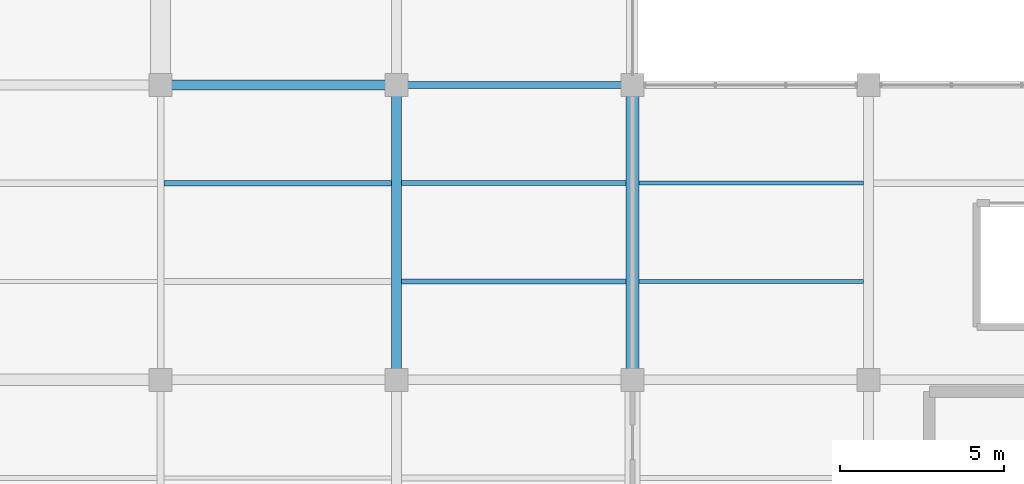
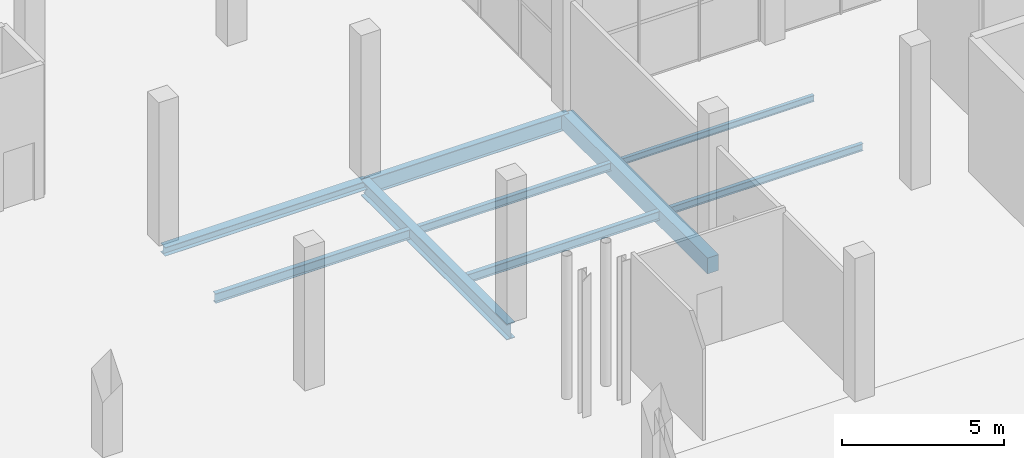
# One storey, part 64 of 147: 9 beams.
"""IFC4 building model written with IfcOpenShell, lengths in metres."""

from ifc_helpers import new_model, si_unit, direction, frame, origin, origin_2d, place, context, subcontext, project, spatial, rectangle, i_section, extrude, material, material_profile, profile_set, type_object, element, save


model = new_model("IFC4")

# Units and contexts
model_context = context("Model", 3, precision=1e-05, world=origin(), true_north=direction((0.0, 1.0)))
body_context = subcontext(model_context, "Body", "Model", "MODEL_VIEW")
ifc_project = project(units=[si_unit("LENGTHUNIT", "METRE"), si_unit("AREAUNIT", "SQUARE_METRE"), si_unit("VOLUMEUNIT", "CUBIC_METRE"), si_unit("PLANEANGLEUNIT", "RADIAN"), si_unit("MASSUNIT", "GRAM", prefix="KILO")], contexts=[model_context])

# Site, building, storey
site_placement = place(None, origin())
site = spatial("IfcSite", under=ifc_project, at=site_placement, CompositionType="ELEMENT")
building_placement = place(site_placement, origin())
building = spatial("IfcBuilding", under=site, at=building_placement, Name="Sundgate Opera House", CompositionType="ELEMENT")
storey_placement = place(building_placement, frame((0.0, 0.0, 6.0)))
storey = spatial("IfcBuildingStorey", under=building, at=storey_placement, Name="L01", CompositionType="ELEMENT", Elevation=6.0)

# Beams
ifc_material_1 = material(Name="Steel S355J2", Category="steel")
ifc_material_profile_1 = material_profile(ifc_material_1, i_section(OverallWidth=0.300048828125, OverallDepth=0.330078125, WebThickness=0.009521484375, FlangeThickness=0.0166015625, at=origin_2d()), Name="HEA 340")
ifc_profile_set_1 = profile_set([ifc_material_profile_1], Name="Steel S355J2")
beam_type_1 = type_object("IfcBeamType", Name="BM-GR-HEA340", PredefinedType="BEAM", material=ifc_profile_set_1)
beam_1_placement = place(storey_placement, frame((109.800048828125, 87.0, -0.465087890625), z_axis=(1.0, 0.0, 0.0), x_axis=(0.0, 1.0, 0.0)))
element("IfcBeam", 1, at=beam_1_placement, inside=storey, type_object=beam_type_1, Name="L01 Primary E-W Girder B1393", PredefinedType="BEAM", context=body_context, shape_type="SweptSolid", body=[
    extrude(i_section(OverallWidth=0.300048828125, OverallDepth=0.330078125, WebThickness=0.009521484375, FlangeThickness=0.0166015625, at=origin_2d()), origin(), (0.0, 0.0, 1.0), 7.199951171875),
])
ifc_material_2 = material(Name="Steel S355J2", Category="steel")
ifc_material_profile_2 = material_profile(ifc_material_2, i_section(OverallWidth=0.300048828125, OverallDepth=0.590087890625, WebThickness=0.012939453125, FlangeThickness=0.02490234375, at=origin_2d()), Name="HEA 600")
ifc_profile_set_2 = profile_set([ifc_material_profile_2], Name="Steel S355J2")
beam_type_2 = type_object("IfcBeamType", Name="BM-GR-HEA600", PredefinedType="BEAM", material=ifc_profile_set_2)
beam_2_placement = place(storey_placement, frame((117.0, 78.0, -0.594970703125), z_axis=(0.0, 1.0, 0.0), x_axis=(-1.0, 0.0, 0.0)))
element("IfcBeam", 2, at=beam_2_placement, inside=storey, type_object=beam_type_2, Name="L01 Primary N-S Girder B1190", PredefinedType="BEAM", context=body_context, shape_type="SweptSolid", body=[
    extrude(i_section(OverallWidth=0.300048828125, OverallDepth=0.590087890625, WebThickness=0.012939453125, FlangeThickness=0.02490234375, at=origin_2d()), origin(), (0.0, 0.0, 1.0), 9.0),
])
ifc_material_3 = material(Name="Steel S355J2", Category="steel")
ifc_material_profile_3 = material_profile(ifc_material_3, i_section(OverallWidth=0.219970703125, OverallDepth=0.60009765625, WebThickness=0.011962890625, FlangeThickness=0.01904296875, at=origin_2d()), Name="IPE 600")
ifc_profile_set_3 = profile_set([ifc_material_profile_3], Name="Steel S355J2")
beam_type_3 = type_object("IfcBeamType", Name="BM-GR-IPE600", PredefinedType="BEAM", material=ifc_profile_set_3)
beam_3_placement = place(storey_placement, frame((117.0, 87.0, -0.60009765625), z_axis=(1.0, 0.0, 0.0), x_axis=(0.0, 1.0, 0.0)))
element("IfcBeam", 3, at=beam_3_placement, inside=storey, type_object=beam_type_3, Name="L01 Primary E-W Girder B1394", PredefinedType="BEAM", context=body_context, shape_type="SweptSolid", body=[
    extrude(i_section(OverallWidth=0.219970703125, OverallDepth=0.60009765625, WebThickness=0.011962890625, FlangeThickness=0.01904296875, at=origin_2d()), origin(), (0.0, 0.0, 1.0), 7.199951171875),
])
ifc_material_4 = material(Name="Steel S355J2", Category="steel")
ifc_material_profile_4 = material_profile(ifc_material_4, i_section(OverallWidth=0.1201171875, OverallDepth=0.239990234375, WebThickness=0.006103515625, FlangeThickness=0.009765625, at=origin_2d()), Name="IPE 240")
ifc_profile_set_4 = profile_set([ifc_material_profile_4], Name="Steel S355J2")
beam_type_4 = type_object("IfcBeamType", Name="BM-JS-IPE240", PredefinedType="JOIST", material=ifc_profile_set_4)
beam_4_placement = place(storey_placement, frame((124.39990234375, 84.0, -0.419921875), z_axis=(1.0, 0.0, 0.0), x_axis=(0.0, 1.0, 0.0)))
element("IfcBeam", 4, at=beam_4_placement, inside=storey, type_object=beam_type_4, Name="L01 Secondary Floor Joist B1651", PredefinedType="JOIST", context=body_context, shape_type="SweptSolid", body=[
    extrude(i_section(OverallWidth=0.1201171875, OverallDepth=0.239990234375, WebThickness=0.006103515625, FlangeThickness=0.009765625, at=origin_2d()), origin(), (0.0, 0.0, 1.0), 6.85009765625),
])
ifc_material_5 = material(Name="Steel S355J2", Category="steel")
ifc_material_profile_5 = material_profile(ifc_material_5, i_section(OverallWidth=0.135009765625, OverallDepth=0.27001953125, WebThickness=0.006591796875, FlangeThickness=0.01025390625, at=origin_2d()), Name="IPE 270")
ifc_profile_set_5 = profile_set([ifc_material_profile_5], Name="Steel S355J2")
beam_type_5 = type_object("IfcBeamType", Name="BM-JS-IPE270", PredefinedType="JOIST", material=ifc_profile_set_5)
beam_5_placement = place(storey_placement, frame((124.39990234375, 81.0, -0.43505859375), z_axis=(1.0, 0.0, 0.0), x_axis=(0.0, 1.0, 0.0)))
element("IfcBeam", 5, at=beam_5_placement, inside=storey, type_object=beam_type_5, Name="L01 Secondary Floor Joist B1650", PredefinedType="JOIST", context=body_context, shape_type="SweptSolid", body=[
    extrude(i_section(OverallWidth=0.135009765625, OverallDepth=0.27001953125, WebThickness=0.006591796875, FlangeThickness=0.01025390625, at=origin_2d()), origin(), (0.0, 0.0, 1.0), 6.85009765625),
])
ifc_material_6 = material(Name="Steel S355J2", Category="steel")
ifc_material_profile_6 = material_profile(ifc_material_6, i_section(OverallWidth=0.14990234375, OverallDepth=0.300048828125, WebThickness=0.007080078125, FlangeThickness=0.0107421875, at=origin_2d()), Name="IPE 300")
ifc_profile_set_6 = profile_set([ifc_material_profile_6], Name="Steel S355J2")
beam_type_6 = type_object("IfcBeamType", Name="BM-JS-IPE300", PredefinedType="JOIST", material=ifc_profile_set_6)
beam_6_placement = place(storey_placement, frame((117.14990234375, 84.0, -0.449951171875), z_axis=(1.0, 0.0, 0.0), x_axis=(0.0, 1.0, 0.0)))
element("IfcBeam", 6, at=beam_6_placement, inside=storey, type_object=beam_type_6, Name="L01 Secondary Floor Joist B1649", PredefinedType="JOIST", context=body_context, shape_type="SweptSolid", body=[
    extrude(i_section(OverallWidth=0.14990234375, OverallDepth=0.300048828125, WebThickness=0.007080078125, FlangeThickness=0.0107421875, at=origin_2d()), origin(), (0.0, 0.0, 1.0), 6.85009765625),
])
ifc_material_7 = material(Name="Steel S355J2", Category="steel")
ifc_material_profile_7 = material_profile(ifc_material_7, i_section(OverallWidth=0.159912109375, OverallDepth=0.330078125, WebThickness=0.007568359375, FlangeThickness=0.011474609375, at=origin_2d()), Name="IPE 330")
ifc_profile_set_7 = profile_set([ifc_material_profile_7], Name="Steel S355J2")
beam_type_7 = type_object("IfcBeamType", Name="BM-JS-IPE330", PredefinedType="JOIST", material=ifc_profile_set_7)
beam_7_placement = place(storey_placement, frame((117.14990234375, 81.0, -0.465087890625), z_axis=(1.0, 0.0, 0.0), x_axis=(0.0, 1.0, 0.0)))
element("IfcBeam", 7, at=beam_7_placement, inside=storey, type_object=beam_type_7, Name="L01 Secondary Floor Joist B1648", PredefinedType="JOIST", context=body_context, shape_type="SweptSolid", body=[
    extrude(i_section(OverallWidth=0.159912109375, OverallDepth=0.330078125, WebThickness=0.007568359375, FlangeThickness=0.011474609375, at=origin_2d()), origin(), (0.0, 0.0, 1.0), 6.85009765625),
])
ifc_material_8 = material(Name="Steel S355J2", Category="steel")
ifc_material_profile_8 = material_profile(ifc_material_8, i_section(OverallWidth=0.169921875, OverallDepth=0.360107421875, WebThickness=0.008056640625, FlangeThickness=0.0126953125, at=origin_2d()), Name="IPE 360")
ifc_profile_set_8 = profile_set([ifc_material_profile_8], Name="Steel S355J2")
beam_type_8 = type_object("IfcBeamType", Name="BM-JS-IPE360", PredefinedType="JOIST", material=ifc_profile_set_8)
beam_8_placement = place(storey_placement, frame((109.89990234375, 84.0, -0.47998046875), z_axis=(1.0, 0.0, 0.0), x_axis=(0.0, 1.0, 0.0)))
element("IfcBeam", 8, at=beam_8_placement, inside=storey, type_object=beam_type_8, Name="L01 Secondary Floor Joist B1647", PredefinedType="JOIST", context=body_context, shape_type="SweptSolid", body=[
    extrude(i_section(OverallWidth=0.169921875, OverallDepth=0.360107421875, WebThickness=0.008056640625, FlangeThickness=0.0126953125, at=origin_2d()), origin(), (0.0, 0.0, 1.0), 6.9501953125),
])
ifc_material_9 = material(Name="Concrete C35/45", Category="concrete")
ifc_material_profile_9 = material_profile(ifc_material_9, rectangle(XDim=0.39990234375, YDim=0.60009765625, at=origin_2d()), Name="RC 400x600")
ifc_profile_set_9 = profile_set([ifc_material_profile_9], Name="Concrete C35/45")
beam_type_9 = type_object("IfcBeamType", Name="BM-RC-400x600", PredefinedType="BEAM", material=ifc_profile_set_9)
beam_9_placement = place(storey_placement, frame((124.199951171875, 78.0, -0.60009765625), z_axis=(0.0, 1.0, 0.0), x_axis=(-1.0, 0.0, 0.0)))
element("IfcBeam", 9, at=beam_9_placement, inside=storey, type_object=beam_type_9, Name="L01 Primary N-S Girder B1202", PredefinedType="BEAM", context=body_context, shape_type="SweptSolid", body=[
    extrude(rectangle(XDim=0.39990234375, YDim=0.60009765625, at=origin_2d()), origin(), (0.0, 0.0, 1.0), 9.0),
])

save(model, "model.ifc")
